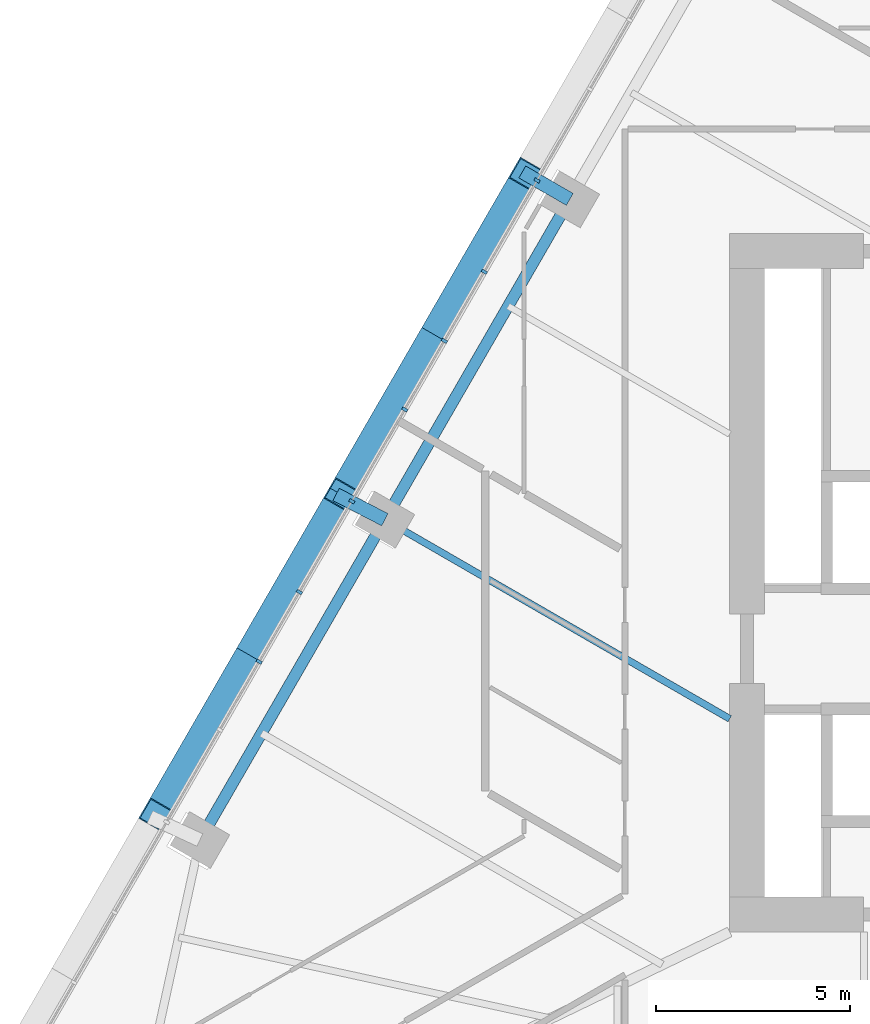
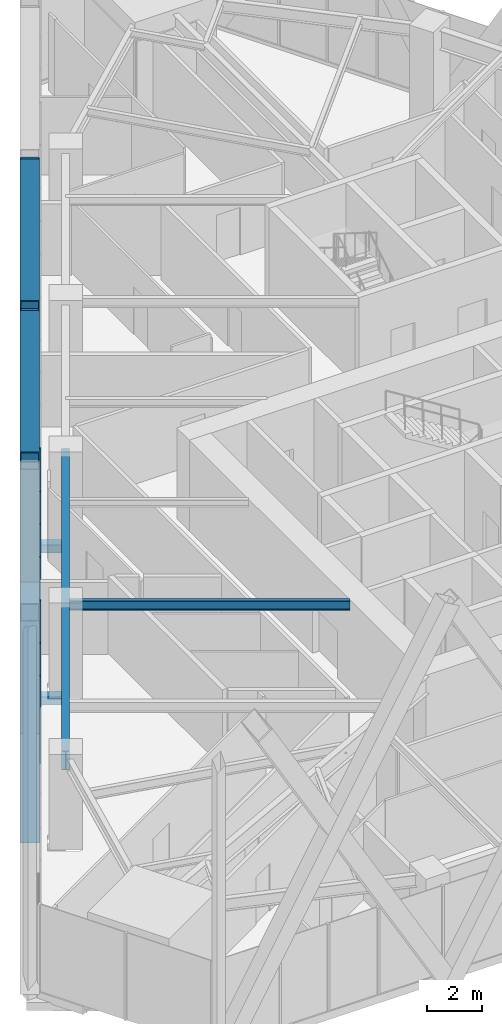
# One storey, part 3 of 23: 13 members, 2 beams, 1 element without a shape of its own.
"""IFC4 building model written with IfcOpenShell, lengths in metres."""

import ifcopenshell
import ifcopenshell.guid

model = None  # the IFC model being written
_history = None  # IfcOwnerHistory: only IFC2X3 demands one
_inside = {}  # id of a spatial element -> (the spatial element, [elements in it])
_under = {}  # id of a project, library or spatial element -> (it, [spatial elements below it])
_declared = {}  # id of a project -> (the project, [libraries it declares])
_typed = {}  # id of a type object -> (the type object, [elements of that type])
_made_of = {}  # id of a material, layer set ... -> (it, [elements and type objects made of it])


def new_model(schema):
    """Start an empty IFC model of exactly this schema.

    Asked for "IFC4X3", IfcOpenShell would pick the latest addendum, in which some entities
    have other attributes; the version numbers below select the first issue.
    IFC2X3 requires an IfcOwnerHistory on every rooted entity: one is made here for all.
    """
    global model, _history
    if schema == "IFC4X3":
        model = ifcopenshell.file(schema_version=(4, 3, 0, 0))
    else:
        model = ifcopenshell.file(schema=schema)
    _inside.clear()
    _under.clear()
    _declared.clear()
    _typed.clear()
    _made_of.clear()
    _history = None
    if model.schema == "IFC2X3":
        org = make("IfcOrganization", Name="unknown")
        user = make(
            "IfcPersonAndOrganization",
            ThePerson=make("IfcPerson", FamilyName="unknown"),
            TheOrganization=org,
        )
        app = make(
            "IfcApplication",
            ApplicationDeveloper=org,
            Version="unknown",
            ApplicationFullName="unknown",
            ApplicationIdentifier="unknown",
        )
        _history = make(
            "IfcOwnerHistory",
            OwningUser=user,
            OwningApplication=app,
            ChangeAction="ADDED",
            CreationDate=0,
        )
    return model


def make(cls, **values):
    """One entity of the class cls with the attributes given. An attribute that is None is left unset."""
    return model.create_entity(
        cls, **{name: value for name, value in values.items() if value is not None}
    )


def rooted(cls, **values):
    """An entity with a GlobalId (a new one), such as an element, a storey or a relation."""
    return make(cls, GlobalId=ifcopenshell.guid.new(), OwnerHistory=_history, **values)


def si_unit(unit_type, name, prefix=None):
    """IfcSIUnit, for example si_unit("LENGTHUNIT", "METRE", prefix="MILLI")."""
    return make("IfcSIUnit", UnitType=unit_type, Prefix=prefix, Name=name)


def assignment(units):
    """IfcUnitAssignment: the units of a project."""
    return None if units is None else make("IfcUnitAssignment", Units=units)


def point(xyz):
    """IfcCartesianPoint."""
    return None if xyz is None else make("IfcCartesianPoint", Coordinates=xyz)


def direction(xyz):
    """IfcDirection."""
    return None if xyz is None else make("IfcDirection", DirectionRatios=xyz)


def frame(location, z_axis=None, x_axis=None):
    """IfcAxis2Placement3D, a coordinate frame: its origin and axes. An axis left out is left unset."""
    return make(
        "IfcAxis2Placement3D",
        Location=point(location),
        Axis=direction(z_axis),
        RefDirection=direction(x_axis),
    )


def frame_2d(location, x_axis=None):
    """IfcAxis2Placement2D, a coordinate frame in the plane: its origin and x axis."""
    return make(
        "IfcAxis2Placement2D", Location=point(location), RefDirection=direction(x_axis)
    )


def origin():
    """The frame at (0, 0, 0) with its axes left unset."""
    return frame((0.0, 0.0, 0.0))


def origin_2d():
    """The frame at (0, 0) in the plane with its x axis left unset."""
    return frame_2d((0.0, 0.0))


def place(relative_to, where):
    """IfcLocalPlacement: puts the frame where relative to a parent placement (None: the world)."""
    return make(
        "IfcLocalPlacement", PlacementRelTo=relative_to, RelativePlacement=where
    )


def context(
    kind, dimensions, precision=None, world=None, true_north=None, identifier=None
):
    """IfcGeometricRepresentationContext, for example the 3D "Model" context."""
    return make(
        "IfcGeometricRepresentationContext",
        ContextIdentifier=identifier,
        ContextType=kind,
        CoordinateSpaceDimension=dimensions,
        Precision=precision,
        WorldCoordinateSystem=world,
        TrueNorth=true_north,
    )


def subcontext(parent, identifier, kind, view, scale=None):
    """IfcGeometricRepresentationSubContext, for example "Body" below "Model"."""
    return make(
        "IfcGeometricRepresentationSubContext",
        ContextIdentifier=identifier,
        ContextType=kind,
        ParentContext=parent,
        TargetScale=scale,
        TargetView=view,
    )


def project(units=None, contexts=None):
    """IfcProject with its units and contexts."""
    return rooted(
        "IfcProject",
        Name="project",
        RepresentationContexts=contexts,
        UnitsInContext=assignment(units),
    )


def spatial(cls, under=None, at=None, **own):
    """A site, building, storey or space (cls), placed at a placement, below another one or the project."""
    s = rooted(cls, ObjectPlacement=at, **own)
    if under is not None:
        _under.setdefault(under.id(), (under, []))[1].append(s)
    return s


def profile(cls, at=None, kind="AREA", **sizes):
    """A parametric profile (cls). Its sizes go by their IFC names, for example OverallWidth=200.0."""
    return make(cls, ProfileType=kind, Position=at, **sizes)


def rectangle(**sizes):
    """IfcRectangleProfileDef."""
    return profile("IfcRectangleProfileDef", **sizes)


def hollow_rectangle(**sizes):
    """IfcRectangleHollowProfileDef."""
    return profile("IfcRectangleHollowProfileDef", **sizes)


def i_section(**sizes):
    """IfcIShapeProfileDef."""
    return profile("IfcIShapeProfileDef", **sizes)


def extrude(swept, where, along, depth):
    """IfcExtrudedAreaSolid: the profile swept, set in the frame where, extruded along a direction by depth."""
    return make(
        "IfcExtrudedAreaSolid",
        SweptArea=swept,
        Position=where,
        ExtrudedDirection=direction(along),
        Depth=depth,
    )


def shape(context_of_items, identifier, shape_type, items):
    """IfcShapeRepresentation: the items that make up one representation, for example the "Body"."""
    return make(
        "IfcShapeRepresentation",
        ContextOfItems=context_of_items,
        RepresentationIdentifier=identifier,
        RepresentationType=shape_type,
        Items=items,
    )


def material(Name=None, Category=None):
    """IfcMaterial."""
    return make("IfcMaterial", Name=Name, Category=Category)


def layer(
    of_material, thickness, ventilated=None, Name=None, Category=None, Priority=None
):
    """IfcMaterialLayer: one layer of a wall or slab, of a material (None: an air gap)."""
    return make(
        "IfcMaterialLayer",
        Material=of_material,
        LayerThickness=thickness,
        IsVentilated=ventilated,
        Name=Name,
        Category=Category,
        Priority=Priority,
    )


def layer_set(layers, Name=None):
    """IfcMaterialLayerSet."""
    return make("IfcMaterialLayerSet", MaterialLayers=layers, LayerSetName=Name)


def material_profile(
    of_material, cross_section, Name=None, Category=None, Priority=None
):
    """IfcMaterialProfile: a cross section and its material."""
    return make(
        "IfcMaterialProfile",
        Name=Name,
        Material=of_material,
        Profile=cross_section,
        Priority=Priority,
        Category=Category,
    )


def profile_set(profiles, Name=None, composite=None):
    """IfcMaterialProfileSet."""
    return make(
        "IfcMaterialProfileSet",
        Name=Name,
        MaterialProfiles=profiles,
        CompositeProfile=composite,
    )


def made_of(thing, what):
    """Note that an element or type object is made of a material, layer set ...; save() writes the relation."""
    if what is not None:
        _made_of.setdefault(what.id(), (what, []))[1].append(thing)
    return thing


def type_object(cls, material=None, **own):
    """A type object (cls), such as IfcWallType, which elements share."""
    return made_of(rooted(cls, **own), material)


def element(
    cls,
    number,
    at=None,
    inside=None,
    cuts=None,
    type_object=None,
    material=None,
    context=None,
    identifier="Body",
    shape_type=None,
    held_by="IfcProductDefinitionShape",
    body=None,
    shapes=None,
    **own,
):
    """One element of the class cls, such as IfcWall. Its Tag is "e" and its number.

    at: its placement. inside: the storey or other place that contains it. cuts: it is an
    opening in that element (IfcRelVoidsElement). A single representation is given by context,
    identifier, shape_type and body (its items); several are given by shapes. held_by: the class
    of the entity that holds the representations. save() writes the other relations.
    """
    e = rooted(cls, Tag="e%d" % number, ObjectPlacement=at, **own)
    if body is not None:
        shapes = [shape(context, identifier, shape_type, body)]
    if shapes is not None:
        e.Representation = make(held_by, Representations=shapes)
    if inside is not None:
        _inside.setdefault(inside.id(), (inside, []))[1].append(e)
    if cuts is not None:
        rooted(
            "IfcRelVoidsElement", RelatingBuildingElement=cuts, RelatedOpeningElement=e
        )
    if type_object is not None:
        _typed.setdefault(type_object.id(), (type_object, []))[1].append(e)
    return made_of(e, material)


def aggregate(whole, parts):
    """IfcRelAggregates: a whole, such as a stair, and the parts it consists of."""
    return rooted("IfcRelAggregates", RelatingObject=whole, RelatedObjects=parts)


def save(model, path):
    """Write the relations noted so far, then the file.

    IfcRelAggregates (storeys below a building ...), IfcRelContainedInSpatialStructure (elements
    in a storey), IfcRelDefinesByType, IfcRelAssociatesMaterial and IfcRelDeclares: one each for
    every whole, place, type object, material and project.
    """
    for whole, parts in _under.values():
        aggregate(whole, parts)
    for where, things in _inside.values():
        rooted(
            "IfcRelContainedInSpatialStructure",
            RelatedElements=things,
            RelatingStructure=where,
        )
    for kind, things in _typed.values():
        rooted("IfcRelDefinesByType", RelatedObjects=things, RelatingType=kind)
    for what, things in _made_of.values():
        rooted("IfcRelAssociatesMaterial", RelatedObjects=things, RelatingMaterial=what)
    for by, libraries in _declared.values():
        rooted("IfcRelDeclares", RelatingContext=by, RelatedDefinitions=libraries)
    model.write(path)


model = new_model("IFC4")

# Units and contexts
model_context = context("Model", 3, precision=1e-05, world=origin(), true_north=direction((0.0, 1.0)))
body_context = subcontext(model_context, "Body", "Model", "MODEL_VIEW")
ifc_project = project(units=[si_unit("LENGTHUNIT", "METRE"), si_unit("AREAUNIT", "SQUARE_METRE"), si_unit("VOLUMEUNIT", "CUBIC_METRE"), si_unit("PLANEANGLEUNIT", "RADIAN"), si_unit("MASSUNIT", "GRAM", prefix="KILO")], contexts=[model_context])

# Site, building, storey
site_placement = place(None, origin())
site = spatial("IfcSite", under=ifc_project, at=site_placement, CompositionType="ELEMENT")
building_placement = place(site_placement, origin())
building = spatial("IfcBuilding", under=site, at=building_placement, Name="Firuza Gate Tower and Library", CompositionType="ELEMENT")
storey_placement = place(building_placement, frame((0.0, 0.0, 56.800048828125)))
storey = spatial("IfcBuildingStorey", under=building, at=storey_placement, Name="L12", CompositionType="ELEMENT", Elevation=56.800048828125)

# Members
ifc_material_1 = material(Name="Steel S355", Category="steel")
ifc_material_profile_1 = material_profile(ifc_material_1, hollow_rectangle(XDim=0.699951171875, YDim=0.699951171875, WallThickness=0.030029296875, at=origin_2d()))
ifc_profile_set_1 = profile_set([ifc_material_profile_1], Name="Steel S355")
member_type_1 = type_object("IfcMemberType", Name="BU700x700x30 Lattice brace", PredefinedType="BRACE", material=ifc_profile_set_1)
for number, where, z_axis, x_axis, name in (
    (1, (56.751953125, 85.53564453125, 0.0), (-0.246794079392, -0.427450328219, 0.869700465265), (0.866020563445, -0.50000838362, 0.0), "Lattice brace W 2.4R"),
    (2, (51.984619140625, 77.278564453125, 0.0), (0.246794079392, 0.427450328219, 0.869700465265), (-0.866020563445, 0.50000838362, 0.0), "Lattice brace W 2.4L"),
):
    element("IfcMember", number, at=place(storey_placement, frame(where, z_axis=z_axis, x_axis=x_axis)), inside=storey, type_object=member_type_1, Name=name, PredefinedType="BRACE", context=body_context, shape_type="SweptSolid", body=[
        extrude(hollow_rectangle(XDim=0.699951171875, YDim=0.699951171875, WallThickness=0.030029296875, at=origin_2d()), origin(), (0.0, 0.0, 1.0), 19.317138671875),
    ])
for number, where, z_axis, x_axis, name in (
    (3, (51.984619140625, 77.278564453125, 0.0), (-0.246782210514, -0.427451661466, 0.86970317792), (0.866031651222, -0.499989178965, 0.0), "Lattice brace W 2.5R"),
    (4, (47.217529296875, 69.021484375, 0.0), (0.246782210514, 0.427451661466, 0.86970317792), (-0.866031651222, 0.499989178965, 0.0), "Lattice brace W 2.5L"),
):
    element("IfcMember", number, at=place(storey_placement, frame(where, z_axis=z_axis, x_axis=x_axis)), inside=storey, type_object=member_type_1, Name=name, PredefinedType="BRACE", context=body_context, shape_type="SweptSolid", body=[
        extrude(hollow_rectangle(XDim=0.699951171875, YDim=0.699951171875, WallThickness=0.030029296875, at=origin_2d()), origin(), (0.0, 0.0, 1.0), 19.31689453125),
    ])

# Curtain wall, members
ifc_material_2 = material(Name="Aluminium 6063-T6", Category="aluminium")
ifc_layer = layer(ifc_material_2, 0.14990234375)
ifc_layer_set = layer_set([ifc_layer], Name="Unitised curtain wall, offices")
curtain_wall_type = type_object("IfcCurtainWallType", Name="Unitised curtain wall, offices", PredefinedType="NOTDEFINED", material=ifc_layer_set)
curtain_wall_placement = place(storey_placement, origin())
curtain_wall = element("IfcCurtainWall", 5, at=curtain_wall_placement, inside=storey, type_object=curtain_wall_type, Name="CW1 L12 W face", PredefinedType="NOTDEFINED")
ifc_material_3 = material(Name="Aluminium 6063-T6", Category="aluminium")
ifc_material_profile_2 = material_profile(ifc_material_3, rectangle(XDim=0.14990234375, YDim=0.080078125, at=origin_2d()))
ifc_profile_set_2 = profile_set([ifc_material_profile_2], Name="Aluminium 6063-T6")
member_type_2 = type_object("IfcMemberType", Name="Curtain wall mullion 80x150", PredefinedType="MULLION", material=ifc_profile_set_2)
member_1_placement = place(storey_placement, frame((57.033447265625, 85.373046875, 0.14990234375), z_axis=(0.0, 0.0, 1.0), x_axis=(0.866025403784, -0.5, 0.0)))
member_1 = element("IfcMember", 6, at=member_1_placement, type_object=member_type_2, Name="Mullion", PredefinedType="MULLION", context=body_context, shape_type="SweptSolid", body=[
    extrude(rectangle(XDim=0.14990234375, YDim=0.080078125, at=origin_2d()), origin(), (0.0, 0.0, 1.0), 3.85009765625),
])
member_2_placement = place(storey_placement, frame((54.646240234375, 81.23828125, 0.14990234375), z_axis=(0.0, 0.0, 1.0), x_axis=(0.866025403784, -0.5, 0.0)))
member_2 = element("IfcMember", 7, at=member_2_placement, type_object=member_type_2, Name="Mullion", PredefinedType="MULLION", context=body_context, shape_type="SweptSolid", body=[
    extrude(rectangle(XDim=0.14990234375, YDim=0.080078125, at=origin_2d()), origin(), (0.0, 0.0, 1.0), 3.85009765625),
])
member_3_placement = place(storey_placement, frame((52.259033203125, 77.103515625, 0.14990234375), z_axis=(0.0, 0.0, 1.0), x_axis=(0.866025403784, -0.5, 0.0)))
member_3 = element("IfcMember", 8, at=member_3_placement, type_object=member_type_2, Name="Mullion", PredefinedType="MULLION", context=body_context, shape_type="SweptSolid", body=[
    extrude(rectangle(XDim=0.14990234375, YDim=0.080078125, at=origin_2d()), origin(), (0.0, 0.0, 1.0), 3.85009765625),
])
member_4_placement = place(storey_placement, frame((49.87158203125, 72.96875, 0.14990234375), z_axis=(0.0, 0.0, 1.0), x_axis=(0.866025403784, -0.5, 0.0)))
member_4 = element("IfcMember", 9, at=member_4_placement, type_object=member_type_2, Name="Mullion", PredefinedType="MULLION", context=body_context, shape_type="SweptSolid", body=[
    extrude(rectangle(XDim=0.14990234375, YDim=0.080078125, at=origin_2d()), origin(), (0.0, 0.0, 1.0), 3.85009765625),
])
member_5_placement = place(storey_placement, frame((55.674560546875, 83.01953125, 0.14990234375), z_axis=(0.0, 0.0, 1.0), x_axis=(0.866025403784, -0.5, 0.0)))
member_5 = element("IfcMember", 10, at=member_5_placement, type_object=member_type_2, Name="Mullion", PredefinedType="MULLION", context=body_context, shape_type="SweptSolid", body=[
    extrude(rectangle(XDim=0.14990234375, YDim=0.080078125, at=origin_2d()), origin(), (0.0, 0.0, 1.0), 3.85009765625),
])
member_6_placement = place(storey_placement, frame((53.625, 79.469482421875, 0.14990234375), z_axis=(0.0, 0.0, 1.0), x_axis=(0.866025403784, -0.5, 0.0)))
member_6 = element("IfcMember", 11, at=member_6_placement, type_object=member_type_2, Name="Mullion", PredefinedType="MULLION", context=body_context, shape_type="SweptSolid", body=[
    extrude(rectangle(XDim=0.14990234375, YDim=0.080078125, at=origin_2d()), origin(), (0.0, 0.0, 1.0), 3.85009765625),
])
member_7_placement = place(storey_placement, frame((50.907470703125, 74.762451171875, 0.14990234375), z_axis=(0.0, 0.0, 1.0), x_axis=(0.866025403784, -0.5, 0.0)))
member_7 = element("IfcMember", 12, at=member_7_placement, type_object=member_type_2, Name="Mullion", PredefinedType="MULLION", context=body_context, shape_type="SweptSolid", body=[
    extrude(rectangle(XDim=0.14990234375, YDim=0.080078125, at=origin_2d()), origin(), (0.0, 0.0, 1.0), 3.85009765625),
])
aggregate(curtain_wall, [member_1, member_2, member_3, member_4, member_5, member_6, member_7])

# Members
ifc_material_4 = material(Name="Steel S355", Category="steel")
ifc_material_profile_3 = material_profile(ifc_material_4, hollow_rectangle(XDim=0.355712890625, YDim=0.355712890625, WallThickness=0.014892578125, at=origin_2d()))
ifc_profile_set_3 = profile_set([ifc_material_profile_3], Name="Steel S355")
member_type_3 = type_object("IfcMemberType", Name="HSS356x356x16 Lattice node tie", PredefinedType="BRACE", material=ifc_profile_set_3)
member_8_placement = place(storey_placement, frame((53.110595703125, 76.62841796875, -0.320068359375), z_axis=(-0.888237061505, 0.459385374789, 0.0), x_axis=(-0.459385374789, -0.888237061505, 0.0)))
element("IfcMember", 13, at=member_8_placement, inside=storey, type_object=member_type_3, Name="Lattice node tie W L12 38", PredefinedType="BRACE", context=body_context, shape_type="SweptSolid", body=[
    extrude(hollow_rectangle(XDim=0.355712890625, YDim=0.355712890625, WallThickness=0.014892578125, at=origin_2d()), origin(), (0.0, 0.0, 1.0), 1.415283203125),
])
member_9_placement = place(storey_placement, frame((57.877685546875, 84.885498046875, -0.320068359375), z_axis=(-0.866013007135, 0.500021471012, 0.0), x_axis=(-0.500021471012, -0.866013007135, 0.0)))
element("IfcMember", 14, at=member_9_placement, inside=storey, type_object=member_type_3, Name="Lattice node tie W L12 39", PredefinedType="BRACE", context=body_context, shape_type="SweptSolid", body=[
    extrude(hollow_rectangle(XDim=0.355712890625, YDim=0.355712890625, WallThickness=0.014892578125, at=origin_2d()), origin(), (0.0, 0.0, 1.0), 1.41357421875),
])

# Beams
ifc_material_5 = material(Name="Steel S355", Category="steel")
ifc_material_profile_4 = material_profile(ifc_material_5, i_section(OverallWidth=0.177978515625, OverallDepth=0.406982421875, WebThickness=0.0078125, FlangeThickness=0.0126953125, at=origin_2d()))
ifc_profile_set_4 = profile_set([ifc_material_profile_4], Name="Steel S355")
beam_type_1 = type_object("IfcBeamType", Name="W410x60 Floor beam", PredefinedType="JOIST", material=ifc_profile_set_4)
beam_1_placement = place(storey_placement, frame((53.110595703125, 76.62841796875, 3.79638671875), z_axis=(0.866024380585, -0.50000177223, 0.0), x_axis=(0.50000177223, 0.866024380585, 0.0)))
element("IfcBeam", 15, at=beam_1_placement, inside=storey, type_object=beam_type_1, Name="Floor beam L12 s84", PredefinedType="JOIST", context=body_context, shape_type="SweptSolid", body=[
    extrude(i_section(OverallWidth=0.177978515625, OverallDepth=0.406982421875, WebThickness=0.0078125, FlangeThickness=0.0126953125, at=origin_2d()), origin(), (0.0, 0.0, 1.0), 10.2646484375),
])
ifc_material_6 = material(Name="Steel S355", Category="steel")
ifc_material_profile_5 = material_profile(ifc_material_6, i_section(OverallWidth=0.2919921875, OverallDepth=0.8349609375, WebThickness=0.013916015625, FlangeThickness=0.018798828125, at=origin_2d()))
ifc_profile_set_5 = profile_set([ifc_material_profile_5], Name="Steel S355")
beam_type_2 = type_object("IfcBeamType", Name="W840x176 Edge beam", PredefinedType="SPANDREL", material=ifc_profile_set_5)
beam_2_placement = place(storey_placement, frame((57.877685546875, 84.885498046875, 3.58251953125), z_axis=(-0.499998781384, -0.866026107351, 0.0), x_axis=(0.866026107351, -0.499998781384, 0.0)))
element("IfcBeam", 16, at=beam_2_placement, inside=storey, type_object=beam_type_2, Name="Edge beam L12 e82", PredefinedType="SPANDREL", context=body_context, shape_type="SweptSolid", body=[
    extrude(i_section(OverallWidth=0.2919921875, OverallDepth=0.8349609375, WebThickness=0.013916015625, FlangeThickness=0.018798828125, at=origin_2d()), origin(), (0.0, 0.0, 1.0), 19.06884765625),
])

save(model, "model.ifc")
